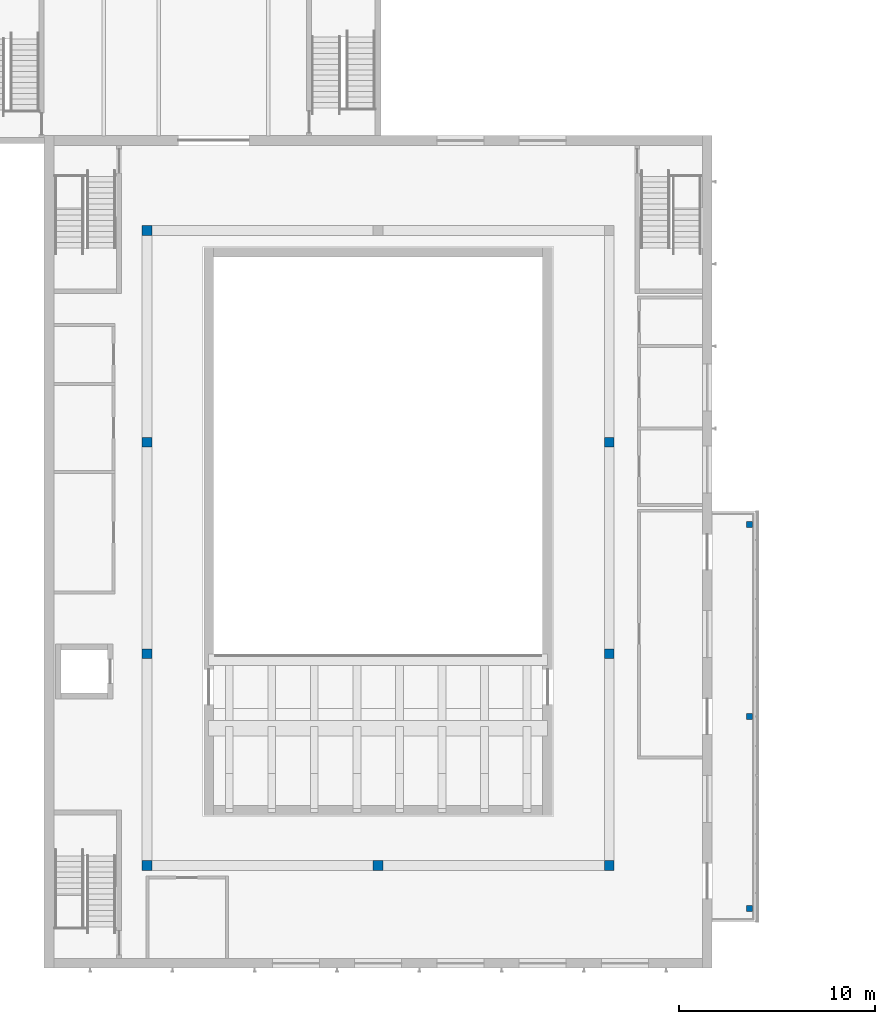
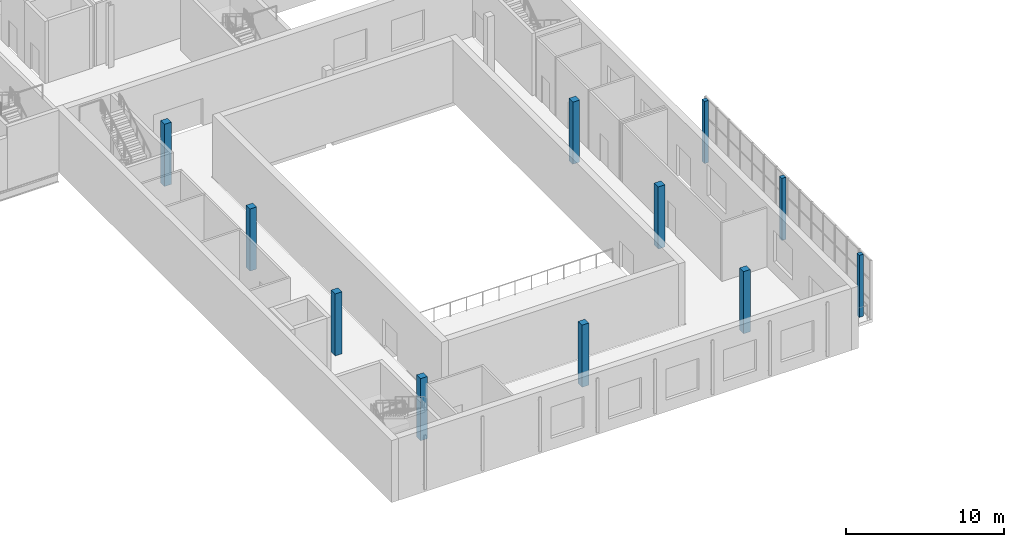
# One storey, part 1 of 127: 11 columns.
"""IFC4 building model written with IfcOpenShell, lengths in metres."""

from ifc_helpers import new_model, si_unit, direction, frame, origin, origin_2d, place, context, subcontext, project, spatial, rectangle, extrude, material, material_profile, profile_set, type_object, element, save


model = new_model("IFC4")

# Units and contexts
model_context = context("Model", 3, precision=1e-05, world=origin(), true_north=direction((0.0, 1.0)))
body_context = subcontext(model_context, "Body", "Model", "MODEL_VIEW")
ifc_project = project(units=[si_unit("LENGTHUNIT", "METRE"), si_unit("AREAUNIT", "SQUARE_METRE"), si_unit("VOLUMEUNIT", "CUBIC_METRE"), si_unit("PLANEANGLEUNIT", "RADIAN"), si_unit("MASSUNIT", "GRAM", prefix="KILO")], contexts=[model_context])

# Site, building, storey
site_placement = place(None, origin())
site = spatial("IfcSite", under=ifc_project, at=site_placement, CompositionType="ELEMENT")
building_placement = place(site_placement, origin())
building = spatial("IfcBuilding", under=site, at=building_placement, Name="Ljudholm Concert House", CompositionType="ELEMENT")
storey_placement = place(building_placement, frame((0.0, 0.0, 5.39990234375)))
storey = spatial("IfcBuildingStorey", under=building, at=storey_placement, Name="L01", CompositionType="ELEMENT", Elevation=5.39990234375)

# Columns
ifc_material_1 = material(Name="Concrete 6,500 psi", Category="concrete")
ifc_material_profile_1 = material_profile(ifc_material_1, rectangle(XDim=0.300048828125, YDim=0.300048828125, at=origin_2d()), Name="RC COLUMN 300x300")
ifc_profile_set_1 = profile_set([ifc_material_profile_1], Name="Concrete 6,500 psi")
column_type_1 = type_object("IfcColumnType", Name="RC COLUMN 300x300", PredefinedType="COLUMN", material=ifc_profile_set_1)
for number, where, z_axis, x_axis, name in (
    (1, (48.14990234375, 6.800048828125, 0.0), (0.0, 0.0, 1.0), (1.0, 0.0, 0.0), "Loggia edge column"),
    (2, (48.14990234375, 16.60009765625, 0.0), (0.0, 0.0, 1.0), (1.0, 0.0, 0.0), "Loggia edge column"),
    (3, (48.14990234375, 26.39990234375, 0.0), (0.0, 0.0, 1.0), (1.0, 0.0, 0.0), "Loggia edge column"),
):
    element("IfcColumn", number, at=place(storey_placement, frame(where, z_axis=z_axis, x_axis=x_axis)), inside=storey, type_object=column_type_1, Name=name, PredefinedType="COLUMN", context=body_context, shape_type="SweptSolid", body=[
        extrude(rectangle(XDim=0.300048828125, YDim=0.300048828125, at=origin_2d()), origin(), (0.0, 0.0, 1.0), 4.800048828125),
    ])
ifc_material_2 = material(Name="Concrete 6,500 psi", Category="concrete")
ifc_material_profile_2 = material_profile(ifc_material_2, rectangle(XDim=0.5, YDim=0.5, at=origin_2d()), Name="RC COLUMN 500x500")
ifc_profile_set_2 = profile_set([ifc_material_profile_2], Name="Concrete 6,500 psi")
column_type_2 = type_object("IfcColumnType", Name="RC COLUMN 500x500", PredefinedType="COLUMN", material=ifc_profile_set_2)
for number, where, z_axis, x_axis, name in (
    (4, (17.39990234375, 9.0, 0.0), (0.0, 0.0, 1.0), (1.0, 0.0, 0.0), "Ring column"),
    (5, (29.199951171875, 9.0, 0.0), (0.0, 0.0, 1.0), (1.0, 0.0, 0.0), "Ring column"),
    (6, (41.0, 9.0, 0.0), (0.0, 0.0, 1.0), (1.0, 0.0, 0.0), "Ring column"),
    (7, (17.39990234375, 41.39990234375, 0.0), (0.0, 0.0, 1.0), (1.0, 0.0, 0.0), "Ring column"),
    (8, (17.39990234375, 19.800048828125, 0.0), (0.0, 0.0, 1.0), (1.0, 0.0, 0.0), "Ring column"),
    (9, (17.39990234375, 30.60009765625, 0.0), (0.0, 0.0, 1.0), (1.0, 0.0, 0.0), "Ring column"),
    (10, (41.0, 19.800048828125, 0.0), (0.0, 0.0, 1.0), (1.0, 0.0, 0.0), "Ring column"),
    (11, (41.0, 30.60009765625, 0.0), (0.0, 0.0, 1.0), (1.0, 0.0, 0.0), "Ring column"),
):
    element("IfcColumn", number, at=place(storey_placement, frame(where, z_axis=z_axis, x_axis=x_axis)), inside=storey, type_object=column_type_2, Name=name, PredefinedType="COLUMN", context=body_context, shape_type="SweptSolid", body=[
        extrude(rectangle(XDim=0.5, YDim=0.5, at=origin_2d()), origin(), (0.0, 0.0, 1.0), 4.800048828125),
    ])

save(model, "model.ifc")
